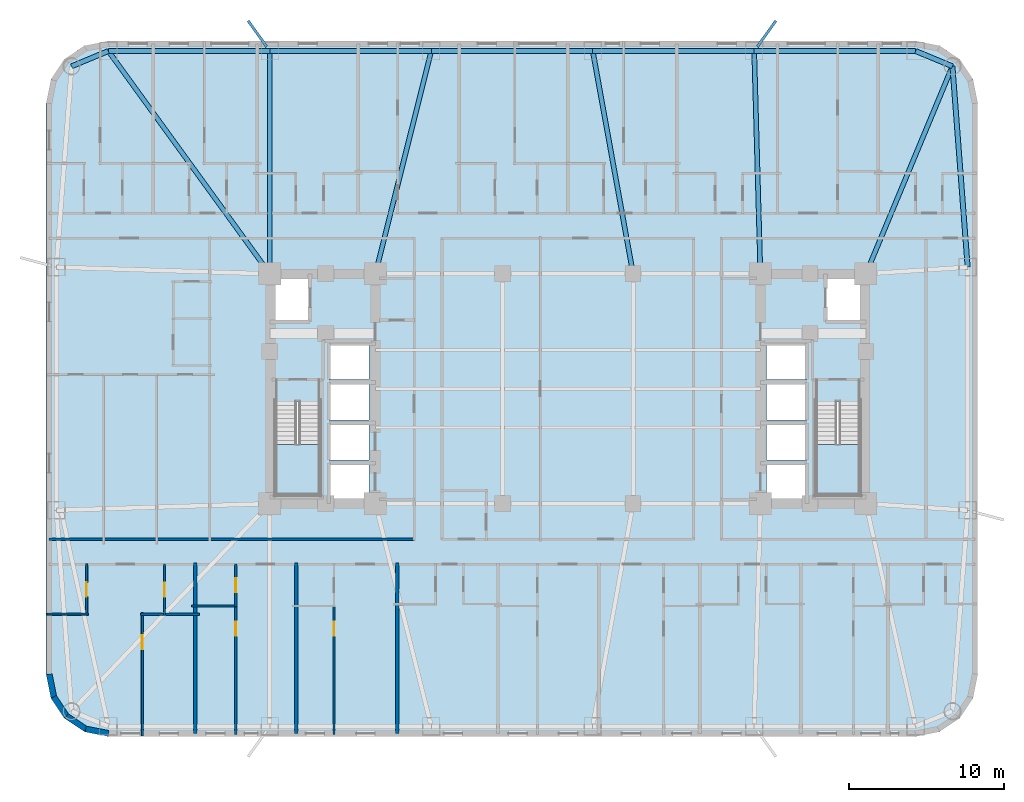
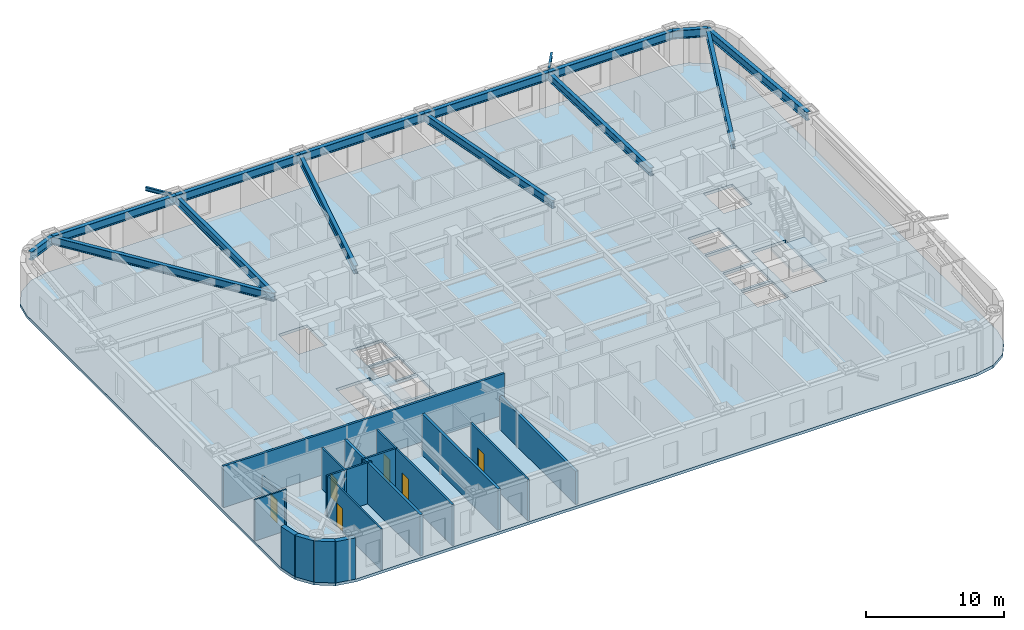
# One storey, part 2 of 11: 17 walls, 16 beams, 6 doors, 3 slabs, 6 openings, 2 elements without a shape of their own.
"""IFC4 building model written with IfcOpenShell, lengths in metres."""

from ifc_helpers import new_model, si_unit, direction, frame, frame_2d, origin, origin_2d, place, context, subcontext, project, spatial, polyline, rectangle, i_section, outline, extrude, material, layer, layer_set, material_profile, profile_set, type_object, element, fill, aggregate, save


model = new_model("IFC4")

# Units and contexts
model_context = context("Model", 3, precision=1e-05, world=origin(), true_north=direction((0.0, 1.0)))
body_context = subcontext(model_context, "Body", "Model", "MODEL_VIEW")
ifc_project = project(units=[si_unit("LENGTHUNIT", "METRE"), si_unit("AREAUNIT", "SQUARE_METRE"), si_unit("VOLUMEUNIT", "CUBIC_METRE"), si_unit("PLANEANGLEUNIT", "RADIAN"), si_unit("MASSUNIT", "GRAM", prefix="KILO")], contexts=[model_context])

# Site, building, storey
site_placement = place(None, origin())
site = spatial("IfcSite", under=ifc_project, at=site_placement, CompositionType="ELEMENT")
building_placement = place(site_placement, origin())
building = spatial("IfcBuilding", under=site, at=building_placement, Name="Voryun Gate Residences", CompositionType="ELEMENT")
storey_placement = place(building_placement, frame((0.0, 0.0, 49.39990234375)))
storey = spatial("IfcBuildingStorey", under=building, at=storey_placement, Name="L11", CompositionType="ELEMENT", Elevation=49.39990234375)

# Beams
ifc_material_1 = material(Name="Steel SM355", Category="steel")
ifc_material_profile_1 = material_profile(ifc_material_1, i_section(OverallWidth=0.169921875, OverallDepth=0.340087890625, WebThickness=0.008056640625, FlangeThickness=0.013916015625, FilletRadius=0.01806640625, at=origin_2d()), Name="H-340x170x8x14")
ifc_profile_set_1 = profile_set([ifc_material_profile_1], Name="Steel SM355")
beam_type_1 = type_object("IfcBeamType", Name="BM_BALC_EDGE", PredefinedType="JOIST", material=ifc_profile_set_1)
beam_1_placement = place(storey_placement, frame((12.2041015625, 22.034423828125, 3.47998046875), z_axis=(0.582769403157, 0.81263757158, 0.0), x_axis=(-0.81263757158, 0.582769403157, 0.0)))
element("IfcBeam", 1, at=beam_1_placement, inside=storey, type_object=beam_type_1, Name="BM-L11-BALBRK-N2", PredefinedType="JOIST", context=body_context, shape_type="SweptSolid", body=[
    extrude(i_section(OverallWidth=0.169921875, OverallDepth=0.340087890625, WebThickness=0.008056640625, FlangeThickness=0.013916015625, FilletRadius=0.01806640625, at=origin_2d()), origin(), (0.0, 0.0, 1.0), 2.0498046875),
])
beam_2_placement = place(storey_placement, frame((-19.404052734375, 22.034423828125, 3.47998046875), z_axis=(-0.582848047974, 0.812581167006, 0.0), x_axis=(-0.812581167006, -0.582848047974, 0.0)))
element("IfcBeam", 2, at=beam_2_placement, inside=storey, type_object=beam_type_1, Name="BM-L11-BALBRK-N5", PredefinedType="JOIST", context=body_context, shape_type="SweptSolid", body=[
    extrude(i_section(OverallWidth=0.169921875, OverallDepth=0.340087890625, WebThickness=0.008056640625, FlangeThickness=0.013916015625, FilletRadius=0.01806640625, at=origin_2d()), origin(), (0.0, 0.0, 1.0), 2.050048828125),
])
ifc_material_2 = material(Name="Steel SM355", Category="steel")
ifc_material_profile_2 = material_profile(ifc_material_2, i_section(OverallWidth=0.320068359375, OverallDepth=0.75, WebThickness=0.01611328125, FlangeThickness=0.028076171875, FilletRadius=0.01806640625, at=origin_2d()), Name="H-750x320x16x28")
ifc_profile_set_2 = profile_set([ifc_material_profile_2], Name="Steel SM355")
beam_type_2 = type_object("IfcBeamType", Name="BM_EXO_SPANDREL_L", PredefinedType="SPANDREL", material=ifc_profile_set_2)
beam_3_placement = place(storey_placement, frame((25.75, 7.830078125, 3.275146484375), z_axis=(-0.075617360159, 0.997136908776, 0.0), x_axis=(-0.997136908776, -0.075617360159, 0.0)))
element("IfcBeam", 3, at=beam_3_placement, inside=storey, type_object=beam_type_2, Name="BM-L11-SPAND-09", PredefinedType="SPANDREL", context=body_context, shape_type="SweptSolid", body=[
    extrude(i_section(OverallWidth=0.320068359375, OverallDepth=0.75, WebThickness=0.01611328125, FlangeThickness=0.028076171875, FilletRadius=0.01806640625, at=origin_2d()), origin(), (0.0, 0.0, 1.0), 12.975830078125),
])
beam_4_placement = place(storey_placement, frame((24.768798828125, 20.768798828125, 3.275146484375), z_axis=(-0.923883376753, 0.382674151414, 0.0), x_axis=(-0.382674151414, -0.923883376753, 0.0)))
element("IfcBeam", 4, at=beam_4_placement, inside=storey, type_object=beam_type_2, Name="BM-L11-SPAND-10", PredefinedType="SPANDREL", context=body_context, shape_type="SweptSolid", body=[
    extrude(i_section(OverallWidth=0.320068359375, OverallDepth=0.75, WebThickness=0.01611328125, FlangeThickness=0.028076171875, FilletRadius=0.01806640625, at=origin_2d()), origin(), (0.0, 0.0, 1.0), 2.56396484375),
])
for number, where, z_axis, x_axis, name in (
    (5, (22.39990234375, 21.75, 3.275146484375), (-1.0, 0.0, 0.0), (0.0, -1.0, 0.0), "BM-L11-SPAND-11"),
    (6, (12.0, 21.75, 3.275146484375), (-1.0, 0.0, 0.0), (0.0, -1.0, 0.0), "BM-L11-SPAND-12"),
):
    element("IfcBeam", number, at=place(storey_placement, frame(where, z_axis=z_axis, x_axis=x_axis)), inside=storey, type_object=beam_type_2, Name=name, PredefinedType="SPANDREL", context=body_context, shape_type="SweptSolid", body=[
        extrude(i_section(OverallWidth=0.320068359375, OverallDepth=0.75, WebThickness=0.01611328125, FlangeThickness=0.028076171875, FilletRadius=0.01806640625, at=origin_2d()), origin(), (0.0, 0.0, 1.0), 10.39990234375),
    ])
beam_5_placement = place(storey_placement, frame((1.60009765625, 21.75, 3.275146484375), z_axis=(-1.0, 0.0, 0.0), x_axis=(0.0, -1.0, 0.0)))
element("IfcBeam", 7, at=beam_5_placement, inside=storey, type_object=beam_type_2, Name="BM-L11-SPAND-13", PredefinedType="SPANDREL", context=body_context, shape_type="SweptSolid", body=[
    extrude(i_section(OverallWidth=0.320068359375, OverallDepth=0.75, WebThickness=0.01611328125, FlangeThickness=0.028076171875, FilletRadius=0.01806640625, at=origin_2d()), origin(), (0.0, 0.0, 1.0), 10.400146484375),
])
beam_6_placement = place(storey_placement, frame((-8.800048828125, 21.75, 3.275146484375), z_axis=(-1.0, 0.0, 0.0), x_axis=(0.0, -1.0, 0.0)))
element("IfcBeam", 8, at=beam_6_placement, inside=storey, type_object=beam_type_2, Name="BM-L11-SPAND-14", PredefinedType="SPANDREL", context=body_context, shape_type="SweptSolid", body=[
    extrude(i_section(OverallWidth=0.320068359375, OverallDepth=0.75, WebThickness=0.01611328125, FlangeThickness=0.028076171875, FilletRadius=0.01806640625, at=origin_2d()), origin(), (0.0, 0.0, 1.0), 10.39990234375),
])
beam_7_placement = place(storey_placement, frame((-19.199951171875, 21.75, 3.275146484375), z_axis=(-1.0, 0.0, 0.0), x_axis=(0.0, -1.0, 0.0)))
element("IfcBeam", 9, at=beam_7_placement, inside=storey, type_object=beam_type_2, Name="BM-L11-SPAND-15", PredefinedType="SPANDREL", context=body_context, shape_type="SweptSolid", body=[
    extrude(i_section(OverallWidth=0.320068359375, OverallDepth=0.75, WebThickness=0.01611328125, FlangeThickness=0.028076171875, FilletRadius=0.01806640625, at=origin_2d()), origin(), (0.0, 0.0, 1.0), 10.400146484375),
])
beam_8_placement = place(storey_placement, frame((-29.60009765625, 21.75, 3.275146484375), z_axis=(-0.92386943149, -0.382707817477, 0.0), x_axis=(0.382707817477, -0.92386943149, 0.0)))
element("IfcBeam", 10, at=beam_8_placement, inside=storey, type_object=beam_type_2, Name="BM-L11-SPAND-16", PredefinedType="SPANDREL", context=body_context, shape_type="SweptSolid", body=[
    extrude(i_section(OverallWidth=0.320068359375, OverallDepth=0.75, WebThickness=0.01611328125, FlangeThickness=0.028076171875, FilletRadius=0.01806640625, at=origin_2d()), origin(), (0.0, 0.0, 1.0), 2.563720703125),
])
ifc_material_3 = material(Name="Steel SM355", Category="steel")
ifc_material_profile_3 = material_profile(ifc_material_3, i_section(OverallWidth=0.300048828125, OverallDepth=0.699951171875, WebThickness=0.012939453125, FlangeThickness=0.02392578125, FilletRadius=0.01806640625, at=origin_2d()), Name="H-700x300x13x24")
ifc_profile_set_3 = profile_set([ifc_material_profile_3], Name="Steel SM355")
beam_type_3 = type_object("IfcBeamType", Name="BM_GIRD_700", PredefinedType="USERDEFINED", material=ifc_profile_set_3)
beam_9_placement = place(storey_placement, frame((19.199951171875, 7.39990234375, 3.300048828125), z_axis=(0.384525607719, 0.923114324993, 0.0), x_axis=(-0.923114324993, 0.384525607719, 0.0)))
element("IfcBeam", 11, at=beam_9_placement, inside=storey, type_object=beam_type_3, Name="BM-L11-RAD-CNE", ObjectType="GIRDER", PredefinedType="USERDEFINED", context=body_context, shape_type="SweptSolid", body=[
    extrude(i_section(OverallWidth=0.300048828125, OverallDepth=0.699951171875, WebThickness=0.012939453125, FlangeThickness=0.02392578125, FilletRadius=0.01806640625, at=origin_2d()), origin(), (0.0, 0.0, 1.0), 14.482421875),
])
beam_10_placement = place(storey_placement, frame((12.39990234375, 7.39990234375, 3.300048828125), z_axis=(-0.0278567548, 0.999611925305, 0.0), x_axis=(-0.999611925305, -0.0278567548, 0.0)))
element("IfcBeam", 12, at=beam_10_placement, inside=storey, type_object=beam_type_3, Name="BM-L11-RAD-N2", ObjectType="GIRDER", PredefinedType="USERDEFINED", context=body_context, shape_type="SweptSolid", body=[
    extrude(i_section(OverallWidth=0.300048828125, OverallDepth=0.699951171875, WebThickness=0.012939453125, FlangeThickness=0.02392578125, FilletRadius=0.01806640625, at=origin_2d()), origin(), (0.0, 0.0, 1.0), 14.355712890625),
])
beam_11_placement = place(storey_placement, frame((4.199951171875, 7.39990234375, 3.300048828125), z_axis=(-0.178271088758, 0.983981411874, 0.0), x_axis=(-0.983981411874, -0.178271088758, 0.0)))
element("IfcBeam", 13, at=beam_11_placement, inside=storey, type_object=beam_type_3, Name="BM-L11-RAD-N3", ObjectType="GIRDER", PredefinedType="USERDEFINED", context=body_context, shape_type="SweptSolid", body=[
    extrude(i_section(OverallWidth=0.300048828125, OverallDepth=0.699951171875, WebThickness=0.012939453125, FlangeThickness=0.02392578125, FilletRadius=0.01806640625, at=origin_2d()), origin(), (0.0, 0.0, 1.0), 14.583740234375),
])
beam_12_placement = place(storey_placement, frame((-12.39990234375, 7.39990234375, 3.300048828125), z_axis=(0.243319869291, 0.969946102218, 0.0), x_axis=(-0.969946102218, 0.243319869291, 0.0)))
element("IfcBeam", 14, at=beam_12_placement, inside=storey, type_object=beam_type_3, Name="BM-L11-RAD-N4", ObjectType="GIRDER", PredefinedType="USERDEFINED", context=body_context, shape_type="SweptSolid", body=[
    extrude(i_section(OverallWidth=0.300048828125, OverallDepth=0.699951171875, WebThickness=0.012939453125, FlangeThickness=0.02392578125, FilletRadius=0.01806640625, at=origin_2d()), origin(), (0.0, 0.0, 1.0), 14.794677734375),
])
beam_13_placement = place(storey_placement, frame((-19.199951171875, 7.39990234375, 3.300048828125), z_axis=(0.0, 1.0, 0.0), x_axis=(-1.0, 0.0, 0.0)))
element("IfcBeam", 15, at=beam_13_placement, inside=storey, type_object=beam_type_3, Name="BM-L11-RAD-N5", ObjectType="GIRDER", PredefinedType="USERDEFINED", context=body_context, shape_type="SweptSolid", body=[
    extrude(i_section(OverallWidth=0.300048828125, OverallDepth=0.699951171875, WebThickness=0.012939453125, FlangeThickness=0.02392578125, FilletRadius=0.01806640625, at=origin_2d()), origin(), (0.0, 0.0, 1.0), 14.35009765625),
])
beam_14_placement = place(storey_placement, frame((-19.199951171875, 7.39990234375, 3.300048828125), z_axis=(-0.586831668391, 0.80970895572, 0.0), x_axis=(-0.80970895572, -0.586831668391, 0.0)))
element("IfcBeam", 16, at=beam_14_placement, inside=storey, type_object=beam_type_3, Name="BM-L11-RAD-N6", ObjectType="GIRDER", PredefinedType="USERDEFINED", context=body_context, shape_type="SweptSolid", body=[
    extrude(i_section(OverallWidth=0.300048828125, OverallDepth=0.699951171875, WebThickness=0.012939453125, FlangeThickness=0.02392578125, FilletRadius=0.01806640625, at=origin_2d()), origin(), (0.0, 0.0, 1.0), 17.72265625),
])

# Slab
ifc_material_4 = material(Name="Concrete C40/50", Category="concrete")
ifc_layer_1 = layer(ifc_material_4, 0.25, Name="SLB_RES_250")
ifc_layer_set_1 = layer_set([ifc_layer_1], Name="Concrete C40/50")
slab_type_1 = type_object("IfcSlabType", Name="SLB_RES_250", PredefinedType="FLOOR", material=ifc_layer_set_1)
slab_1_placement = place(storey_placement, frame((0.0, 0.0, -0.25)))
element("IfcSlab", 17, at=slab_1_placement, inside=storey, type_object=slab_type_1, Name="L11 Structural Floor Slab", PredefinedType="FLOOR", context=body_context, shape_type="SweptSolid", body=[
    extrude(outline(polyline([(-29.60009765625, -22.39990234375), (-31.130615234375, -22.095458984375), (-32.428466796875, -21.228515625), (-33.29541015625, -19.9306640625), (-33.60009765625, -18.39990234375), (-33.60009765625, 18.39990234375), (-33.29541015625, 19.9306640625), (-32.428466796875, 21.228515625), (-31.130615234375, 22.095458984375), (-29.60009765625, 22.39990234375), (22.39990234375, 22.39990234375), (23.9306640625, 22.095458984375), (25.228515625, 21.228515625), (26.095458984375, 19.9306640625), (26.39990234375, 18.39990234375), (26.39990234375, -18.39990234375), (26.095458984375, -19.9306640625), (25.228515625, -21.228515625), (23.9306640625, -22.095458984375), (22.39990234375, -22.39990234375), (-29.60009765625, -22.39990234375)]), holes=[polyline([(-12.800048828125, -4.800048828125), (-15.39990234375, -4.800048828125), (-15.39990234375, -7.199951171875), (-12.800048828125, -7.199951171875), (-12.800048828125, -4.800048828125)]), polyline([(-18.824951171875, -6.85009765625), (-15.97509765625, -6.85009765625), (-15.97509765625, -0.840087890625), (-18.824951171875, -0.840087890625), (-18.824951171875, -6.85009765625)]), polyline([(-12.800048828125, -4.60009765625), (-12.800048828125, -2.199951171875), (-15.39990234375, -2.199951171875), (-15.39990234375, -4.60009765625), (-12.800048828125, -4.60009765625)]), polyline([(-12.800048828125, 0.39990234375), (-15.39990234375, 0.39990234375), (-15.39990234375, -2.0), (-12.800048828125, -2.0), (-12.800048828125, 0.39990234375)]), polyline([(-12.800048828125, 0.60009765625), (-12.800048828125, 2.89990234375), (-15.39990234375, 2.89990234375), (-15.39990234375, 0.60009765625), (-12.800048828125, 0.60009765625)]), polyline([(-16.60009765625, 4.300048828125), (-16.60009765625, 7.199951171875), (-19.0, 7.199951171875), (-19.0, 4.300048828125), (-16.60009765625, 4.300048828125)]), polyline([(15.39990234375, -4.800048828125), (12.800048828125, -4.800048828125), (12.800048828125, -7.199951171875), (15.39990234375, -7.199951171875), (15.39990234375, -4.800048828125)]), polyline([(15.97509765625, -6.85009765625), (18.824951171875, -6.85009765625), (18.824951171875, -0.840087890625), (15.97509765625, -0.840087890625), (15.97509765625, -6.85009765625)]), polyline([(15.39990234375, -4.60009765625), (15.39990234375, -2.199951171875), (12.800048828125, -2.199951171875), (12.800048828125, -4.60009765625), (15.39990234375, -4.60009765625)]), polyline([(15.39990234375, 0.39990234375), (12.800048828125, 0.39990234375), (12.800048828125, -2.0), (15.39990234375, -2.0), (15.39990234375, 0.39990234375)]), polyline([(15.39990234375, 0.60009765625), (15.39990234375, 2.89990234375), (12.800048828125, 2.89990234375), (12.800048828125, 0.60009765625), (15.39990234375, 0.60009765625)]), polyline([(19.0, 4.300048828125), (19.0, 7.199951171875), (16.60009765625, 7.199951171875), (16.60009765625, 4.300048828125), (19.0, 4.300048828125)])]), origin(), (0.0, 0.0, 1.0), 0.25),
])

# Stair, slab
ifc_material_5 = material(Name="Concrete C40/50", Category="concrete")
stair_type = type_object("IfcStairType", Name="STR_CORE_DOGLEG_1350", PredefinedType="HALF_TURN_STAIR", material=ifc_material_5)
stair_1_placement = place(storey_placement, origin())
stair_1 = element("IfcStair", 18, at=stair_1_placement, inside=storey, type_object=stair_type, Name="L11 Special Escape Stair ST-W1", PredefinedType="HALF_TURN_STAIR")
ifc_material_6 = material(Name="Concrete C40/50", Category="concrete")
ifc_layer_2 = layer(ifc_material_6, 0.199951171875, Name="SLB_STAIR_LANDING_200")
ifc_layer_set_2 = layer_set([ifc_layer_2], Name="Concrete C40/50")
slab_type_2 = type_object("IfcSlabType", Name="SLB_STAIR_LANDING_200", PredefinedType="LANDING", material=ifc_layer_set_2)
slab_2_placement = place(storey_placement, frame((0.0, 0.0, 1.75)))
slab_2 = element("IfcSlab", 19, at=slab_2_placement, type_object=slab_type_2, Name="ST-W1 landing 1", PredefinedType="LANDING", context=body_context, shape_type="SweptSolid", body=[
    extrude(outline(polyline([(-18.824951171875, -3.60009765625), (-18.824951171875, -6.85009765625), (-15.97509765625, -6.85009765625), (-15.97509765625, -3.60009765625), (-18.824951171875, -3.60009765625)])), origin(), (0.0, 0.0, 1.0), 0.2001953125),
])
aggregate(stair_1, [slab_2])

stair_2_placement = place(storey_placement, origin())
stair_2 = element("IfcStair", 20, at=stair_2_placement, inside=storey, type_object=stair_type, Name="L11 Special Escape Stair ST-E1", PredefinedType="HALF_TURN_STAIR")
slab_3_placement = place(storey_placement, frame((0.0, 0.0, 1.75)))
slab_3 = element("IfcSlab", 21, at=slab_3_placement, type_object=slab_type_2, Name="ST-E1 landing 1", PredefinedType="LANDING", context=body_context, shape_type="SweptSolid", body=[
    extrude(outline(polyline([(15.97509765625, -3.60009765625), (15.97509765625, -6.85009765625), (18.824951171875, -6.85009765625), (18.824951171875, -3.60009765625), (15.97509765625, -3.60009765625)])), origin(), (0.0, 0.0, 1.0), 0.2001953125),
])
aggregate(stair_2, [slab_3])

# Walls
ifc_material_7 = material(Name="Gypsum acoustic fireboard")
ifc_layer_3 = layer(ifc_material_7, 0.179931640625, Name="W_CORR_RATED_180")
ifc_layer_set_3 = layer_set([ifc_layer_3], Name="Gypsum acoustic fireboard")
wall_type_1 = type_object("IfcWallType", Name="W_CORR_RATED_180", PredefinedType="PARTITIONING", material=ifc_layer_set_3)
wall_1_placement = place(storey_placement, frame((-33.409912109375, -9.68994140625, 0.0), z_axis=(0.0, 0.0, 1.0), x_axis=(1.0, 0.0, 0.0)))
element("IfcWall", 22, at=wall_1_placement, inside=storey, type_object=wall_type_1, Name="Partition wall WP-L11-CWING-WS", PredefinedType="PARTITIONING", context=body_context, shape_type="SweptSolid", body=[
    extrude(rectangle(XDim=23.530029296875, YDim=0.179931640625, at=frame_2d((11.76513671875, 0.0))), origin(), (0.0, 0.0, 1.0), 3.650146484375),
])
ifc_material_8 = material(Name="Granite masonry", Category="masonry")
ifc_layer_4 = layer(ifc_material_8, 0.3798828125, Name="W_EXT_GRANITE_380")
ifc_layer_set_4 = layer_set([ifc_layer_4], Name="Granite masonry")
wall_type_2 = type_object("IfcWallType", Name="W_EXT_GRANITE_380", PredefinedType="ELEMENTEDWALL", material=ifc_layer_set_4)
wall_2_placement = place(storey_placement, frame((-29.581298828125, -22.2099609375, 0.0), z_axis=(0.0, 0.0, 1.0), x_axis=(-0.980786132421, 0.195086038585, 0.0)))
element("IfcWall", 23, at=wall_2_placement, inside=storey, type_object=wall_type_2, Name="Exterior wall WEXT-L11-02", PredefinedType="ELEMENTEDWALL", context=body_context, shape_type="SweptSolid", body=[
    extrude(rectangle(XDim=1.504150390625, YDim=0.3798828125, at=frame_2d((0.751953125, 0.0))), origin(), (0.0, 0.0, 1.0), 3.650146484375),
])
wall_3_placement = place(storey_placement, frame((-31.056640625, -21.91650390625, 0.0), z_axis=(0.0, 0.0, 1.0), x_axis=(-0.831442848281, 0.555610286119, 0.0)))
element("IfcWall", 24, at=wall_3_placement, inside=storey, type_object=wall_type_2, Name="Exterior wall WEXT-L11-03", PredefinedType="ELEMENTEDWALL", context=body_context, shape_type="SweptSolid", body=[
    extrude(rectangle(XDim=1.485107421875, YDim=0.3798828125, at=frame_2d((0.74267578125, 0.0))), origin(), (0.0, 0.0, 1.0), 3.650146484375),
])
wall_4_placement = place(storey_placement, frame((-32.29150390625, -21.09130859375, 0.0), z_axis=(0.0, 0.0, 1.0), x_axis=(-0.555572577804, 0.831468045563, 0.0)))
element("IfcWall", 25, at=wall_4_placement, inside=storey, type_object=wall_type_2, Name="Exterior wall WEXT-L11-04", PredefinedType="ELEMENTEDWALL", context=body_context, shape_type="SweptSolid", body=[
    extrude(rectangle(XDim=1.48486328125, YDim=0.3798828125, at=frame_2d((0.742431640625, 0.0))), origin(), (0.0, 0.0, 1.0), 3.650146484375),
])
wall_5_placement = place(storey_placement, frame((-33.116455078125, -19.856689453125, 0.0), z_axis=(0.0, 0.0, 1.0), x_axis=(-0.195086038585, 0.980786132421, 0.0)))
element("IfcWall", 26, at=wall_5_placement, inside=storey, type_object=wall_type_2, Name="Exterior wall WEXT-L11-05", PredefinedType="ELEMENTEDWALL", context=body_context, shape_type="SweptSolid", body=[
    extrude(rectangle(XDim=1.504150390625, YDim=0.3798828125, at=frame_2d((0.751953125, 0.0))), origin(), (0.0, 0.0, 1.0), 3.650146484375),
])
ifc_material_9 = material(Name="Concrete C40/50", Category="concrete")
ifc_layer_5 = layer(ifc_material_9, 0.219970703125, Name="W_PARTY_ACOUSTIC_220")
ifc_layer_set_5 = layer_set([ifc_layer_5], Name="Concrete C40/50")
wall_type_3 = type_object("IfcWallType", Name="W_PARTY_ACOUSTIC_220", PredefinedType="PARTITIONING", material=ifc_layer_set_5)
for number, where, z_axis, x_axis, name in (
    (27, (-24.0, -22.2099609375, 0.0), (0.0, 0.0, 1.0), (0.0, 1.0, 0.0), "Partition wall WP-L11-SPTY-1"),
    (28, (-17.5, -22.2099609375, 0.0), (0.0, 0.0, 1.0), (0.0, 1.0, 0.0), "Partition wall WP-L11-SPTY-2"),
):
    element("IfcWall", number, at=place(storey_placement, frame(where, z_axis=z_axis, x_axis=x_axis)), inside=storey, type_object=wall_type_3, Name=name, PredefinedType="PARTITIONING", context=body_context, shape_type="SweptSolid", body=[
        extrude(rectangle(XDim=10.989990234375, YDim=0.219970703125, at=frame_2d((5.4951171875, 0.0))), origin(), (0.0, 0.0, 1.0), 3.650146484375),
    ])
wall_6_placement = place(storey_placement, frame((-11.0, -22.2099609375, 0.0), z_axis=(0.0, 0.0, 1.0), x_axis=(0.0, 1.0, 0.0)))
element("IfcWall", 29, at=wall_6_placement, inside=storey, type_object=wall_type_3, Name="Partition wall WP-L11-SPTY-3", PredefinedType="PARTITIONING", context=body_context, shape_type="SweptSolid", body=[
    extrude(rectangle(XDim=10.989990234375, YDim=0.219970703125, at=frame_2d((5.4951171875, 0.0))), origin(), (0.0, 0.0, 1.0), 2.940185546875),
])

# Wall, opening, door
ifc_material_10 = material(Name="Gypsum acoustic partition")
ifc_layer_6 = layer(ifc_material_10, 0.125, Name="W_UNIT_PART_125")
ifc_layer_set_6 = layer_set([ifc_layer_6], Name="Gypsum acoustic partition")
wall_type_4 = type_object("IfcWallType", Name="W_UNIT_PART_125", PredefinedType="PARTITIONING", material=ifc_layer_set_6)
wall_7_placement = place(storey_placement, frame((-27.409912109375, -22.360107421875, 0.0), z_axis=(0.0, 0.0, 1.0), x_axis=(0.0, 1.0, 0.0)))
wall_7 = element("IfcWall", 30, at=wall_7_placement, inside=storey, type_object=wall_type_4, Name="Partition wall WP-L11-S1-OVR", PredefinedType="PARTITIONING", context=body_context, shape_type="SweptSolid", body=[
    extrude(rectangle(XDim=7.920166015625, YDim=0.125, at=frame_2d((3.9599609375, 0.0))), origin(), (0.0, 0.0, 1.0), 3.650146484375),
])
opening_1_placement = place(wall_7_placement, frame((5.569091796875, 0.0, 0.0)))
opening_1 = element("IfcOpeningElement", 31, at=opening_1_placement, cuts=wall_7, Name="Opening D-INT-2", PredefinedType="OPENING", context=body_context, shape_type="SweptSolid", body=[
    extrude(rectangle(XDim=0.89990234375, YDim=2.050048828125, at=frame_2d((0.449951171875, 1.02490234375))), frame((0.0, 0.072509765625, 0.0), z_axis=(0.0, -1.0, 0.0), x_axis=(1.0, 0.0, 0.0)), (0.0, 0.0, 1.0), 0.14501953125),
])
ifc_material_11 = material(Name="Architectural oak veneer")
door_type_1 = type_object("IfcDoorType", Name="DR_INT_BATH_900", OperationType="NOTDEFINED", PredefinedType="DOOR", material=ifc_material_11)
door_1_placement = place(opening_1_placement, origin())
door_1 = element("IfcDoor", 32, at=door_1_placement, inside=storey, type_object=door_type_1, Name="Door DR-L11-S1-DMB", OperationType="SINGLE_SWING_RIGHT", OverallHeight=2.050048828125, OverallWidth=0.89990234375, PredefinedType="DOOR", context=body_context, shape_type="SweptSolid", body=[
    extrude(rectangle(XDim=0.89990234375, YDim=2.050048828125, at=frame_2d((0.449951171875, 1.02490234375))), frame((0.0, 0.02490234375, 0.0), z_axis=(0.0, -1.0, 0.0), x_axis=(1.0, 0.0, 0.0)), (0.0, 0.0, 1.0), 0.050048828125),
])
fill(opening_1, door_1)

wall_8_placement = place(storey_placement, frame((-31.00390625, -14.60009765625, 0.0), z_axis=(0.0, 0.0, 1.0), x_axis=(0.0, 1.0, 0.0)))
wall_8 = element("IfcWall", 33, at=wall_8_placement, inside=storey, type_object=wall_type_4, Name="Partition wall WP-L11-S1-IVK", PredefinedType="PARTITIONING", context=body_context, shape_type="SweptSolid", body=[
    extrude(rectangle(XDim=3.320068359375, YDim=0.125, at=frame_2d((1.66015625, 0.0))), origin(), (0.0, 0.0, 1.0), 2.940185546875),
])
opening_2_placement = place(wall_8_placement, frame((1.18505859375, 0.0, 0.0)))
opening_2 = element("IfcOpeningElement", 34, at=opening_2_placement, cuts=wall_8, Name="Opening D-INT-1", PredefinedType="OPENING", context=body_context, shape_type="SweptSolid", body=[
    extrude(rectangle(XDim=0.949951171875, YDim=2.050048828125, at=frame_2d((0.47509765625, 1.02490234375))), frame((0.0, 0.072509765625, 0.0), z_axis=(0.0, -1.0, 0.0), x_axis=(1.0, 0.0, 0.0)), (0.0, 0.0, 1.0), 0.14501953125),
])
ifc_material_12 = material(Name="Architectural oak veneer")
door_type_2 = type_object("IfcDoorType", Name="DR_INT_ROOM_950", OperationType="NOTDEFINED", PredefinedType="DOOR", material=ifc_material_12)
door_2_placement = place(opening_2_placement, origin())
door_2 = element("IfcDoor", 35, at=door_2_placement, inside=storey, type_object=door_type_2, Name="Door DR-L11-S1-DK", OperationType="SINGLE_SWING_LEFT", OverallHeight=2.050048828125, OverallWidth=0.949951171875, PredefinedType="DOOR", context=body_context, shape_type="SweptSolid", body=[
    extrude(rectangle(XDim=0.949951171875, YDim=2.050048828125, at=frame_2d((0.47509765625, 1.02490234375))), frame((0.0, 0.02490234375, 0.0), z_axis=(0.0, -1.0, 0.0), x_axis=(1.0, 0.0, 0.0)), (0.0, 0.0, 1.0), 0.050048828125),
])
fill(opening_2, door_2)

# Walls
wall_9_placement = place(storey_placement, frame((-33.56005859375, -14.52001953125, 0.0), z_axis=(0.0, 0.0, 1.0), x_axis=(1.0, 0.0, 0.0)))
element("IfcWall", 36, at=wall_9_placement, inside=storey, type_object=wall_type_4, Name="Partition wall WP-L11-S1-HZK", PredefinedType="PARTITIONING", context=body_context, shape_type="SweptSolid", body=[
    extrude(rectangle(XDim=2.676025390625, YDim=0.125, at=frame_2d((1.337890625, 0.0))), origin(), (0.0, 0.0, 1.0), 3.650146484375),
])
ifc_material_13 = material(Name="Gypsum moisture-resistant partition")
ifc_layer_7 = layer(ifc_material_13, 0.14990234375, Name="W_WET_PLUMB_150")
ifc_layer_set_7 = layer_set([ifc_layer_7], Name="Gypsum moisture-resistant partition")
wall_type_5 = type_object("IfcWallType", Name="W_WET_PLUMB_150", PredefinedType="PLUMBINGWALL", material=ifc_layer_set_7)
wall_10_placement = place(storey_placement, frame((-27.530029296875, -14.52001953125, 0.0), z_axis=(0.0, 0.0, 1.0), x_axis=(1.0, 0.0, 0.0)))
element("IfcWall", 37, at=wall_10_placement, inside=storey, type_object=wall_type_5, Name="Partition wall WP-L11-S1-HZB", PredefinedType="PLUMBINGWALL", context=body_context, shape_type="SweptSolid", body=[
    extrude(rectangle(XDim=3.7900390625, YDim=0.14990234375, at=frame_2d((1.89501953125, 0.0))), origin(), (0.0, 0.0, 1.0), 3.650146484375),
])

# Wall, opening, door
wall_11_placement = place(storey_placement, frame((-25.97998046875, -14.60009765625, 0.0), z_axis=(0.0, 0.0, 1.0), x_axis=(0.0, 1.0, 0.0)))
wall_11 = element("IfcWall", 38, at=wall_11_placement, inside=storey, type_object=wall_type_5, Name="Partition wall WP-L11-S1-IVB", PredefinedType="PLUMBINGWALL", context=body_context, shape_type="SweptSolid", body=[
    extrude(rectangle(XDim=3.320068359375, YDim=0.14990234375, at=frame_2d((1.66015625, 0.0))), origin(), (0.0, 0.0, 1.0), 3.650146484375),
])
opening_3_placement = place(wall_11_placement, frame((1.2099609375, 0.0, 0.0)))
opening_3 = element("IfcOpeningElement", 39, at=opening_3_placement, cuts=wall_11, Name="Opening D-INT-2", PredefinedType="OPENING", context=body_context, shape_type="SweptSolid", body=[
    extrude(rectangle(XDim=0.89990234375, YDim=2.050048828125, at=frame_2d((0.449951171875, 1.02490234375))), frame((0.0, 0.0849609375, 0.0), z_axis=(0.0, -1.0, 0.0), x_axis=(1.0, 0.0, 0.0)), (0.0, 0.0, 1.0), 0.169921875),
])
door_3_placement = place(opening_3_placement, origin())
door_3 = element("IfcDoor", 40, at=door_3_placement, inside=storey, type_object=door_type_1, Name="Door DR-L11-S1-DB", OperationType="SINGLE_SWING_RIGHT", OverallHeight=2.050048828125, OverallWidth=0.89990234375, PredefinedType="DOOR", context=body_context, shape_type="SweptSolid", body=[
    extrude(rectangle(XDim=0.89990234375, YDim=2.050048828125, at=frame_2d((0.449951171875, 1.02490234375))), frame((0.0, 0.02490234375, 0.0), z_axis=(0.0, -1.0, 0.0), x_axis=(1.0, 0.0, 0.0)), (0.0, 0.0, 1.0), 0.050048828125),
])
fill(opening_3, door_3)

# Wall
wall_12_placement = place(storey_placement, frame((-24.260009765625, -14.0, 0.0), z_axis=(0.0, 0.0, 1.0), x_axis=(1.0, 0.0, 0.0)))
element("IfcWall", 41, at=wall_12_placement, inside=storey, type_object=wall_type_5, Name="Partition wall WP-L11-S2-SKB", PredefinedType="PLUMBINGWALL", context=body_context, shape_type="SweptSolid", body=[
    extrude(rectangle(XDim=2.949951171875, YDim=0.14990234375, at=frame_2d((1.47509765625, 0.0))), origin(), (0.0, 0.0, 1.0), 3.650146484375),
])

# Wall, opening, door
wall_13_placement = place(storey_placement, frame((-21.389892578125, -22.257568359375, 0.0), z_axis=(0.0, 0.0, 1.0), x_axis=(0.0, 1.0, 0.0)))
wall_13 = element("IfcWall", 42, at=wall_13_placement, inside=storey, type_object=wall_type_5, Name="Partition wall WP-L11-S2-SVT1", PredefinedType="PLUMBINGWALL", context=body_context, shape_type="SweptSolid", body=[
    extrude(rectangle(XDim=8.297607421875, YDim=0.14990234375, at=frame_2d((4.14892578125, 0.0))), origin(), (0.0, 0.0, 1.0), 3.650146484375),
])
opening_4_placement = place(wall_13_placement, frame((6.35400390625, 0.0, 0.0)))
opening_4 = element("IfcOpeningElement", 43, at=opening_4_placement, cuts=wall_13, Name="Opening D-INT-2", PredefinedType="OPENING", context=body_context, shape_type="SweptSolid", body=[
    extrude(rectangle(XDim=0.89990234375, YDim=2.050048828125, at=frame_2d((0.449951171875, 1.02490234375))), frame((0.0, 0.0849609375, 0.0), z_axis=(0.0, -1.0, 0.0), x_axis=(1.0, 0.0, 0.0)), (0.0, 0.0, 1.0), 0.169921875),
])
door_4_placement = place(opening_4_placement, origin())
door_4 = element("IfcDoor", 44, at=door_4_placement, inside=storey, type_object=door_type_1, Name="Door DR-L11-S2-DK", OperationType="SINGLE_SWING_LEFT", OverallHeight=2.050048828125, OverallWidth=0.89990234375, PredefinedType="DOOR", context=body_context, shape_type="SweptSolid", body=[
    extrude(rectangle(XDim=0.89990234375, YDim=2.050048828125, at=frame_2d((0.449951171875, 1.02490234375))), frame((0.0, 0.02490234375, 0.0), z_axis=(0.0, -1.0, 0.0), x_axis=(1.0, 0.0, 0.0)), (0.0, 0.0, 1.0), 0.050048828125),
])
fill(opening_4, door_4)

wall_14_placement = place(storey_placement, frame((-21.389892578125, -14.0400390625, 0.0), z_axis=(0.0, 0.0, 1.0), x_axis=(0.0, 1.0, 0.0)))
wall_14 = element("IfcWall", 45, at=wall_14_placement, inside=storey, type_object=wall_type_5, Name="Partition wall WP-L11-S2-SVT2", PredefinedType="PLUMBINGWALL", context=body_context, shape_type="SweptSolid", body=[
    extrude(rectangle(XDim=2.760009765625, YDim=0.14990234375, at=frame_2d((1.3798828125, 0.0))), origin(), (0.0, 0.0, 1.0), 3.650146484375),
])
opening_5_placement = place(wall_14_placement, frame((0.929931640625, 0.0, 0.0)))
opening_5 = element("IfcOpeningElement", 46, at=opening_5_placement, cuts=wall_14, Name="Opening D-INT-2", PredefinedType="OPENING", context=body_context, shape_type="SweptSolid", body=[
    extrude(rectangle(XDim=0.89990234375, YDim=2.050048828125, at=frame_2d((0.449951171875, 1.02490234375))), frame((0.0, 0.0849609375, 0.0), z_axis=(0.0, -1.0, 0.0), x_axis=(1.0, 0.0, 0.0)), (0.0, 0.0, 1.0), 0.169921875),
])
door_5_placement = place(opening_5_placement, origin())
door_5 = element("IfcDoor", 47, at=door_5_placement, inside=storey, type_object=door_type_1, Name="Door DR-L11-S2-DB", OperationType="SINGLE_SWING_RIGHT", OverallHeight=2.050048828125, OverallWidth=0.89990234375, PredefinedType="DOOR", context=body_context, shape_type="SweptSolid", body=[
    extrude(rectangle(XDim=0.89990234375, YDim=2.050048828125, at=frame_2d((0.449951171875, 1.02490234375))), frame((0.0, 0.02490234375, 0.0), z_axis=(0.0, -1.0, 0.0), x_axis=(1.0, 0.0, 0.0)), (0.0, 0.0, 1.0), 0.050048828125),
])
fill(opening_5, door_5)

wall_15_placement = place(storey_placement, frame((-15.06005859375, -22.257568359375, 0.0), z_axis=(0.0, 0.0, 1.0), x_axis=(0.0, 1.0, 0.0)))
wall_15 = element("IfcWall", 48, at=wall_15_placement, inside=storey, type_object=wall_type_5, Name="Partition wall WP-L11-S3-SVT1", PredefinedType="PLUMBINGWALL", context=body_context, shape_type="SweptSolid", body=[
    extrude(rectangle(XDim=8.297607421875, YDim=0.14990234375, at=frame_2d((4.14892578125, 0.0))), origin(), (0.0, 0.0, 1.0), 3.650146484375),
])
opening_6_placement = place(wall_15_placement, frame((6.35400390625, 0.0, 0.0)))
opening_6 = element("IfcOpeningElement", 49, at=opening_6_placement, cuts=wall_15, Name="Opening D-INT-2", PredefinedType="OPENING", context=body_context, shape_type="SweptSolid", body=[
    extrude(rectangle(XDim=0.89990234375, YDim=2.050048828125, at=frame_2d((0.449951171875, 1.02490234375))), frame((0.0, 0.0849609375, 0.0), z_axis=(0.0, -1.0, 0.0), x_axis=(1.0, 0.0, 0.0)), (0.0, 0.0, 1.0), 0.169921875),
])
door_6_placement = place(opening_6_placement, origin())
door_6 = element("IfcDoor", 50, at=door_6_placement, inside=storey, type_object=door_type_1, Name="Door DR-L11-S3-DK", OperationType="SINGLE_SWING_LEFT", OverallHeight=2.050048828125, OverallWidth=0.89990234375, PredefinedType="DOOR", context=body_context, shape_type="SweptSolid", body=[
    extrude(rectangle(XDim=0.89990234375, YDim=2.050048828125, at=frame_2d((0.449951171875, 1.02490234375))), frame((0.0, 0.02490234375, 0.0), z_axis=(0.0, -1.0, 0.0), x_axis=(1.0, 0.0, 0.0)), (0.0, 0.0, 1.0), 0.050048828125),
])
fill(opening_6, door_6)

save(model, "model.ifc")
